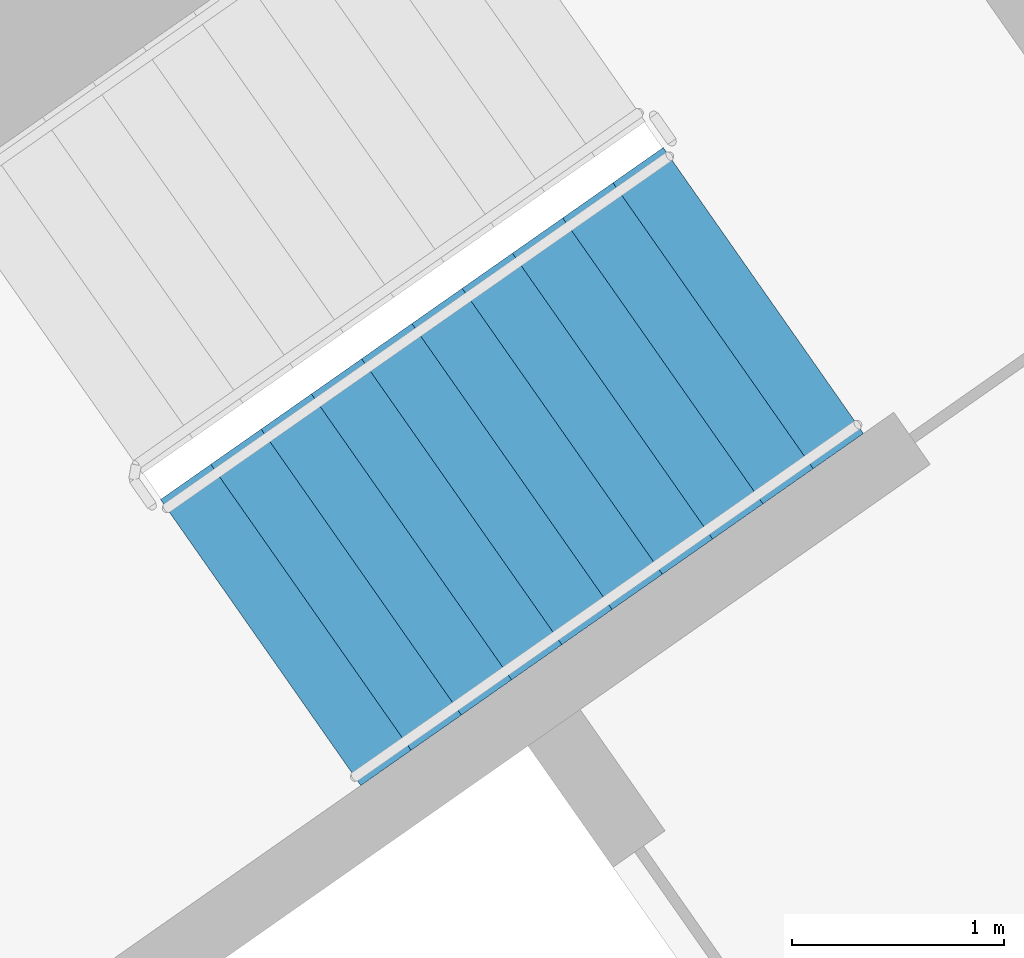
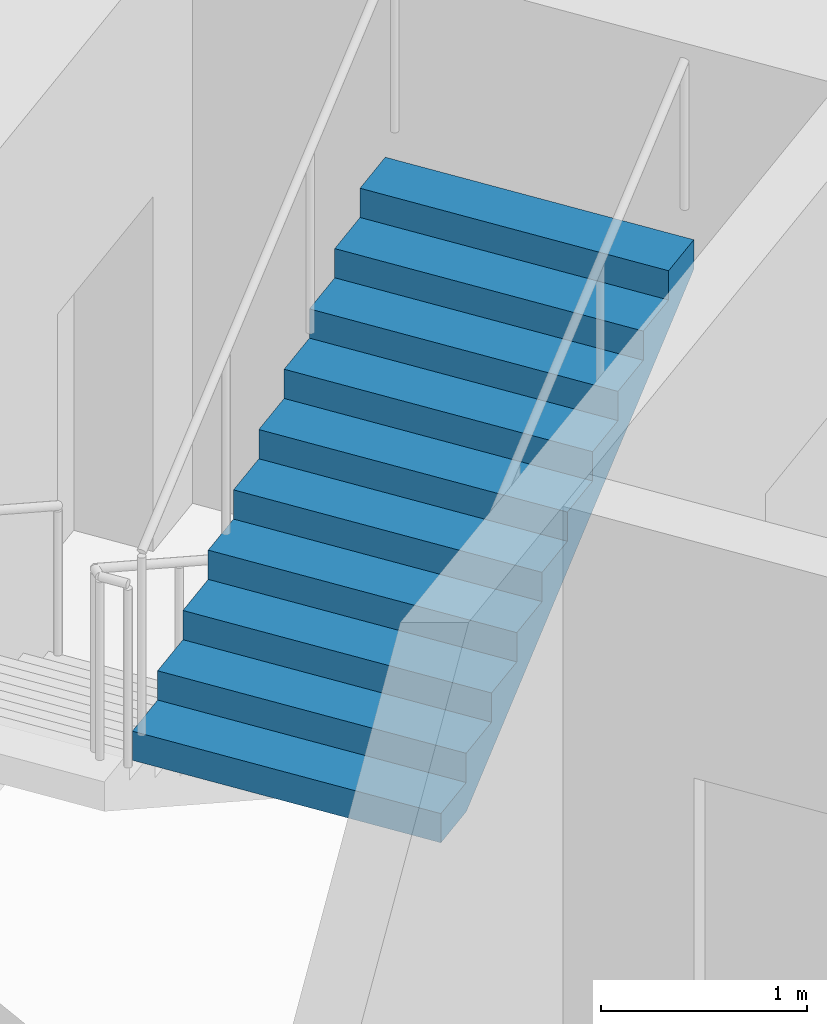
# One storey, part 14 of 30: 1 stair flight, 1 element without a shape of its own.
"""IFC4 building model written with IfcOpenShell, lengths in metres."""

from ifc_helpers import new_model, si_unit, direction, frame, origin, place, context, subcontext, project, spatial, faceted_brep, material, type_object, element, aggregate, save


model = new_model("IFC4")

# Units and contexts
model_context = context("Model", 3, precision=1e-05, world=origin(), true_north=direction((0.0, 1.0)))
body_context = subcontext(model_context, "Body", "Model", "MODEL_VIEW")
ifc_project = project(units=[si_unit("LENGTHUNIT", "METRE"), si_unit("AREAUNIT", "SQUARE_METRE"), si_unit("VOLUMEUNIT", "CUBIC_METRE"), si_unit("PLANEANGLEUNIT", "RADIAN"), si_unit("MASSUNIT", "GRAM", prefix="KILO")], contexts=[model_context])

# Site, building, storey
site_placement = place(None, origin())
site = spatial("IfcSite", under=ifc_project, at=site_placement, CompositionType="ELEMENT")
building_placement = place(site_placement, origin())
building = spatial("IfcBuilding", under=site, at=building_placement, Name="Qamariyya Broadcast Tower", CompositionType="ELEMENT")
storey_placement = place(building_placement, frame((0.0, 0.0, 110.10009765625)))
storey = spatial("IfcBuildingStorey", under=building, at=storey_placement, Name="L24", CompositionType="ELEMENT", Elevation=110.10009765625)

# Stair, stair flight
ifc_material = material(Name="Concrete C50/60", Category="concrete")
stair_type = type_object("IfcStairType", Name="Exit stair 22 risers of 173 mm", PredefinedType="HALF_TURN_STAIR", material=ifc_material)
stair_placement = place(storey_placement, origin())
stair = element("IfcStair", 1, at=stair_placement, inside=storey, type_object=stair_type, Name="L24 Stair E2", PredefinedType="HALF_TURN_STAIR")
stair_flight_type = type_object("IfcStairFlightType", Name="Exit stair flight 11 risers of 173 mm", PredefinedType="STRAIGHT", material=ifc_material)
stair_flight_placement = place(storey_placement, frame((39.215576171875, -50.822998046875, 1.89990234375), z_axis=(0.0, 0.0, 1.0), x_axis=(0.819152044289, 0.573576436351, 0.0)))
stair_flight = element("IfcStairFlight", 2, at=stair_flight_placement, type_object=stair_flight_type, Name="ST-E2 flight 2", NumberOfRisers=11, NumberOfTreads=10, PredefinedType="STRAIGHT", RiserHeight=0.172727273, TreadLength=0.29, context=body_context, shape_type="Brep", body=[
    faceted_brep([(0.0, 0.824951171875, 0.0), (0.0, 0.824951171875, 0.172607421875), (0.2900390625, 0.824951171875, 0.172607421875), (0.2900390625, 0.824951171875, 0.345458984375), (0.580078125, 0.824951171875, 0.345458984375), (0.580078125, 0.824951171875, 0.51806640625), (0.8701171875, 0.824951171875, 0.51806640625), (0.8701171875, 0.824951171875, 0.69091796875), (1.159912109375, 0.824951171875, 0.69091796875), (1.159912109375, 0.824951171875, 0.863525390625), (1.449951171875, 0.824951171875, 0.863525390625), (1.449951171875, 0.824951171875, 1.036376953125), (1.739990234375, 0.824951171875, 1.036376953125), (1.739990234375, 0.824951171875, 1.208984375), (2.030029296875, 0.824951171875, 1.208984375), (2.030029296875, 0.824951171875, 1.3818359375), (2.320068359375, 0.824951171875, 1.3818359375), (2.320068359375, 0.824951171875, 1.554443359375), (2.610107421875, 0.824951171875, 1.554443359375), (2.610107421875, 0.824951171875, 1.727294921875), (2.89990234375, 0.824951171875, 1.727294921875), (2.89990234375, 0.824951171875, 1.552734375), (0.29296875, 0.824951171875, 0.0), (0.29296875, -0.824951171875, 0.0), (2.89990234375, -0.824951171875, 1.552734375), (2.89990234375, -0.824951171875, 1.727294921875), (2.610107421875, -0.824951171875, 1.727294921875), (2.610107421875, -0.824951171875, 1.554443359375), (2.320068359375, -0.824951171875, 1.554443359375), (2.320068359375, -0.824951171875, 1.3818359375), (2.030029296875, -0.824951171875, 1.3818359375), (2.030029296875, -0.824951171875, 1.208984375), (1.739990234375, -0.824951171875, 1.208984375), (1.739990234375, -0.824951171875, 1.036376953125), (1.449951171875, -0.824951171875, 1.036376953125), (1.449951171875, -0.824951171875, 0.863525390625), (1.159912109375, -0.824951171875, 0.863525390625), (1.159912109375, -0.824951171875, 0.69091796875), (0.8701171875, -0.824951171875, 0.69091796875), (0.8701171875, -0.824951171875, 0.51806640625), (0.580078125, -0.824951171875, 0.51806640625), (0.580078125, -0.824951171875, 0.345458984375), (0.2900390625, -0.824951171875, 0.345458984375), (0.2900390625, -0.824951171875, 0.172607421875), (0.0, -0.824951171875, 0.172607421875), (0.0, -0.824951171875, 0.0), (0.0, 0.10009765625, 0.0), (0.0, 0.086669921875, 0.0), (0.0, 0.0732421875, 0.0), (0.0, 0.06005859375, 0.0), (0.0, 0.046630859375, 0.0), (0.0, 0.033447265625, 0.0), (0.0, 0.02001953125, 0.0), (0.0, 0.006591796875, 0.0), (0.0, -0.006591796875, 0.0), (0.0, -0.02001953125, 0.0), (0.0, -0.033447265625, 0.0), (0.0, -0.046630859375, 0.0), (0.0, -0.06005859375, 0.0), (0.0, -0.0732421875, 0.0), (0.0, -0.086669921875, 0.0), (0.0, -0.10009765625, 0.0), (0.0, -0.10009765625, 0.172607421875), (0.0, -0.086669921875, 0.172607421875), (0.0, -0.0732421875, 0.172607421875), (0.0, -0.06005859375, 0.172607421875), (0.0, -0.046630859375, 0.172607421875), (0.0, -0.033447265625, 0.172607421875), (0.0, -0.02001953125, 0.172607421875), (0.0, -0.006591796875, 0.172607421875), (0.0, 0.006591796875, 0.172607421875), (0.0, 0.02001953125, 0.172607421875), (0.0, 0.033447265625, 0.172607421875), (0.0, 0.046630859375, 0.172607421875), (0.0, 0.06005859375, 0.172607421875), (0.0, 0.0732421875, 0.172607421875), (0.0, 0.086669921875, 0.172607421875), (0.0, 0.10009765625, 0.172607421875), (0.2900390625, -0.10009765625, 0.172607421875), (0.2900390625, -0.086669921875, 0.172607421875), (0.2900390625, -0.0732421875, 0.172607421875), (0.2900390625, -0.06005859375, 0.172607421875), (0.2900390625, -0.046630859375, 0.172607421875), (0.2900390625, -0.033447265625, 0.172607421875), (0.2900390625, -0.02001953125, 0.172607421875), (0.2900390625, -0.006591796875, 0.172607421875), (0.2900390625, 0.006591796875, 0.172607421875), (0.2900390625, 0.02001953125, 0.172607421875), (0.2900390625, 0.033447265625, 0.172607421875), (0.2900390625, 0.046630859375, 0.172607421875), (0.2900390625, 0.06005859375, 0.172607421875), (0.2900390625, 0.0732421875, 0.172607421875), (0.2900390625, 0.086669921875, 0.172607421875), (0.2900390625, 0.10009765625, 0.172607421875), (0.2900390625, -0.10009765625, 0.345458984375), (0.2900390625, -0.086669921875, 0.345458984375), (0.2900390625, -0.0732421875, 0.345458984375), (0.2900390625, -0.06005859375, 0.345458984375), (0.2900390625, -0.046630859375, 0.345458984375), (0.2900390625, -0.033447265625, 0.345458984375), (0.2900390625, -0.02001953125, 0.345458984375), (0.2900390625, -0.006591796875, 0.345458984375), (0.2900390625, 0.006591796875, 0.345458984375), (0.2900390625, 0.02001953125, 0.345458984375), (0.2900390625, 0.033447265625, 0.345458984375), (0.2900390625, 0.046630859375, 0.345458984375), (0.2900390625, 0.06005859375, 0.345458984375), (0.2900390625, 0.0732421875, 0.345458984375), (0.2900390625, 0.086669921875, 0.345458984375), (0.2900390625, 0.10009765625, 0.345458984375), (0.580078125, -0.10009765625, 0.345458984375), (0.580078125, -0.086669921875, 0.345458984375), (0.580078125, -0.0732421875, 0.345458984375), (0.580078125, -0.06005859375, 0.345458984375), (0.580078125, -0.046630859375, 0.345458984375), (0.580078125, -0.033447265625, 0.345458984375), (0.580078125, -0.02001953125, 0.345458984375), (0.580078125, -0.006591796875, 0.345458984375), (0.580078125, 0.006591796875, 0.345458984375), (0.580078125, 0.02001953125, 0.345458984375), (0.580078125, 0.033447265625, 0.345458984375), (0.580078125, 0.046630859375, 0.345458984375), (0.580078125, 0.06005859375, 0.345458984375), (0.580078125, 0.0732421875, 0.345458984375), (0.580078125, 0.086669921875, 0.345458984375), (0.580078125, 0.10009765625, 0.345458984375), (0.580078125, -0.10009765625, 0.51806640625), (0.580078125, -0.086669921875, 0.51806640625), (0.580078125, -0.0732421875, 0.51806640625), (0.580078125, -0.06005859375, 0.51806640625), (0.580078125, -0.046630859375, 0.51806640625), (0.580078125, -0.033447265625, 0.51806640625), (0.580078125, -0.02001953125, 0.51806640625), (0.580078125, -0.006591796875, 0.51806640625), (0.580078125, 0.006591796875, 0.51806640625), (0.580078125, 0.02001953125, 0.51806640625), (0.580078125, 0.033447265625, 0.51806640625), (0.580078125, 0.046630859375, 0.51806640625), (0.580078125, 0.06005859375, 0.51806640625), (0.580078125, 0.0732421875, 0.51806640625), (0.580078125, 0.086669921875, 0.51806640625), (0.580078125, 0.10009765625, 0.51806640625), (0.8701171875, -0.10009765625, 0.51806640625), (0.8701171875, -0.086669921875, 0.51806640625), (0.8701171875, -0.0732421875, 0.51806640625), (0.8701171875, -0.06005859375, 0.51806640625), (0.8701171875, -0.046630859375, 0.51806640625), (0.8701171875, -0.033447265625, 0.51806640625), (0.8701171875, -0.02001953125, 0.51806640625), (0.8701171875, -0.006591796875, 0.51806640625), (0.8701171875, 0.006591796875, 0.51806640625), (0.8701171875, 0.02001953125, 0.51806640625), (0.8701171875, 0.033447265625, 0.51806640625), (0.8701171875, 0.046630859375, 0.51806640625), (0.8701171875, 0.06005859375, 0.51806640625), (0.8701171875, 0.0732421875, 0.51806640625), (0.8701171875, 0.086669921875, 0.51806640625), (0.8701171875, 0.10009765625, 0.51806640625), (0.8701171875, -0.10009765625, 0.69091796875), (0.8701171875, -0.086669921875, 0.69091796875), (0.8701171875, -0.0732421875, 0.69091796875), (0.8701171875, -0.06005859375, 0.69091796875), (0.8701171875, -0.046630859375, 0.69091796875), (0.8701171875, -0.033447265625, 0.69091796875), (0.8701171875, -0.02001953125, 0.69091796875), (0.8701171875, -0.006591796875, 0.69091796875), (0.8701171875, 0.006591796875, 0.69091796875), (0.8701171875, 0.02001953125, 0.69091796875), (0.8701171875, 0.033447265625, 0.69091796875), (0.8701171875, 0.046630859375, 0.69091796875), (0.8701171875, 0.06005859375, 0.69091796875), (0.8701171875, 0.0732421875, 0.69091796875), (0.8701171875, 0.086669921875, 0.69091796875), (0.8701171875, 0.10009765625, 0.69091796875), (1.159912109375, -0.10009765625, 0.69091796875), (1.159912109375, -0.086669921875, 0.69091796875), (1.159912109375, -0.0732421875, 0.69091796875), (1.159912109375, -0.06005859375, 0.69091796875), (1.159912109375, -0.046630859375, 0.69091796875), (1.159912109375, -0.033447265625, 0.69091796875), (1.159912109375, -0.02001953125, 0.69091796875), (1.159912109375, -0.006591796875, 0.69091796875), (1.159912109375, 0.006591796875, 0.69091796875), (1.159912109375, 0.02001953125, 0.69091796875), (1.159912109375, 0.033447265625, 0.69091796875), (1.159912109375, 0.046630859375, 0.69091796875), (1.159912109375, 0.06005859375, 0.69091796875), (1.159912109375, 0.0732421875, 0.69091796875), (1.159912109375, 0.086669921875, 0.69091796875), (1.159912109375, 0.10009765625, 0.69091796875), (1.159912109375, -0.10009765625, 0.863525390625), (1.159912109375, -0.086669921875, 0.863525390625), (1.159912109375, -0.0732421875, 0.863525390625), (1.159912109375, -0.06005859375, 0.863525390625), (1.159912109375, -0.046630859375, 0.863525390625), (1.159912109375, -0.033447265625, 0.863525390625), (1.159912109375, -0.02001953125, 0.863525390625), (1.159912109375, -0.006591796875, 0.863525390625), (1.159912109375, 0.006591796875, 0.863525390625), (1.159912109375, 0.02001953125, 0.863525390625), (1.159912109375, 0.033447265625, 0.863525390625), (1.159912109375, 0.046630859375, 0.863525390625), (1.159912109375, 0.06005859375, 0.863525390625), (1.159912109375, 0.0732421875, 0.863525390625), (1.159912109375, 0.086669921875, 0.863525390625), (1.159912109375, 0.10009765625, 0.863525390625), (1.449951171875, -0.10009765625, 0.863525390625), (1.449951171875, -0.086669921875, 0.863525390625), (1.449951171875, -0.0732421875, 0.863525390625), (1.449951171875, -0.06005859375, 0.863525390625), (1.449951171875, -0.046630859375, 0.863525390625), (1.449951171875, -0.033447265625, 0.863525390625), (1.449951171875, -0.02001953125, 0.863525390625), (1.449951171875, -0.006591796875, 0.863525390625), (1.449951171875, 0.006591796875, 0.863525390625), (1.449951171875, 0.02001953125, 0.863525390625), (1.449951171875, 0.033447265625, 0.863525390625), (1.449951171875, 0.046630859375, 0.863525390625), (1.449951171875, 0.06005859375, 0.863525390625), (1.449951171875, 0.0732421875, 0.863525390625), (1.449951171875, 0.086669921875, 0.863525390625), (1.449951171875, 0.10009765625, 0.863525390625), (1.449951171875, -0.10009765625, 1.036376953125), (1.449951171875, -0.086669921875, 1.036376953125), (1.449951171875, -0.0732421875, 1.036376953125), (1.449951171875, -0.06005859375, 1.036376953125), (1.449951171875, -0.046630859375, 1.036376953125), (1.449951171875, -0.033447265625, 1.036376953125), (1.449951171875, -0.02001953125, 1.036376953125), (1.449951171875, -0.006591796875, 1.036376953125), (1.449951171875, 0.006591796875, 1.036376953125), (1.449951171875, 0.02001953125, 1.036376953125), (1.449951171875, 0.033447265625, 1.036376953125), (1.449951171875, 0.046630859375, 1.036376953125), (1.449951171875, 0.06005859375, 1.036376953125), (1.449951171875, 0.0732421875, 1.036376953125), (1.449951171875, 0.086669921875, 1.036376953125), (1.449951171875, 0.10009765625, 1.036376953125), (1.739990234375, -0.10009765625, 1.036376953125), (1.739990234375, -0.086669921875, 1.036376953125), (1.739990234375, -0.0732421875, 1.036376953125), (1.739990234375, -0.06005859375, 1.036376953125), (1.739990234375, -0.046630859375, 1.036376953125), (1.739990234375, -0.033447265625, 1.036376953125), (1.739990234375, -0.02001953125, 1.036376953125), (1.739990234375, -0.006591796875, 1.036376953125), (1.739990234375, 0.006591796875, 1.036376953125), (1.739990234375, 0.02001953125, 1.036376953125), (1.739990234375, 0.033447265625, 1.036376953125), (1.739990234375, 0.046630859375, 1.036376953125), (1.739990234375, 0.06005859375, 1.036376953125), (1.739990234375, 0.0732421875, 1.036376953125), (1.739990234375, 0.086669921875, 1.036376953125), (1.739990234375, 0.10009765625, 1.036376953125), (1.739990234375, -0.10009765625, 1.208984375), (1.739990234375, -0.086669921875, 1.208984375), (1.739990234375, -0.0732421875, 1.208984375), (1.739990234375, -0.06005859375, 1.208984375), (1.739990234375, -0.046630859375, 1.208984375), (1.739990234375, -0.033447265625, 1.208984375), (1.739990234375, -0.02001953125, 1.208984375), (1.739990234375, -0.006591796875, 1.208984375), (1.739990234375, 0.006591796875, 1.208984375), (1.739990234375, 0.02001953125, 1.208984375), (1.739990234375, 0.033447265625, 1.208984375), (1.739990234375, 0.046630859375, 1.208984375), (1.739990234375, 0.06005859375, 1.208984375), (1.739990234375, 0.0732421875, 1.208984375), (1.739990234375, 0.086669921875, 1.208984375), (1.739990234375, 0.10009765625, 1.208984375), (2.030029296875, -0.10009765625, 1.208984375), (2.030029296875, -0.086669921875, 1.208984375), (2.030029296875, -0.0732421875, 1.208984375), (2.030029296875, -0.06005859375, 1.208984375), (2.030029296875, -0.046630859375, 1.208984375), (2.030029296875, -0.033447265625, 1.208984375), (2.030029296875, -0.02001953125, 1.208984375), (2.030029296875, -0.006591796875, 1.208984375), (2.030029296875, 0.006591796875, 1.208984375), (2.030029296875, 0.02001953125, 1.208984375), (2.030029296875, 0.033447265625, 1.208984375), (2.030029296875, 0.046630859375, 1.208984375), (2.030029296875, 0.06005859375, 1.208984375), (2.030029296875, 0.0732421875, 1.208984375), (2.030029296875, 0.086669921875, 1.208984375), (2.030029296875, 0.10009765625, 1.208984375), (2.030029296875, -0.10009765625, 1.3818359375), (2.030029296875, -0.086669921875, 1.3818359375), (2.030029296875, -0.0732421875, 1.3818359375), (2.030029296875, -0.06005859375, 1.3818359375), (2.030029296875, -0.046630859375, 1.3818359375), (2.030029296875, -0.033447265625, 1.3818359375), (2.030029296875, -0.02001953125, 1.3818359375), (2.030029296875, -0.006591796875, 1.3818359375), (2.030029296875, 0.006591796875, 1.3818359375), (2.030029296875, 0.02001953125, 1.3818359375), (2.030029296875, 0.033447265625, 1.3818359375), (2.030029296875, 0.046630859375, 1.3818359375), (2.030029296875, 0.06005859375, 1.3818359375), (2.030029296875, 0.0732421875, 1.3818359375), (2.030029296875, 0.086669921875, 1.3818359375), (2.030029296875, 0.10009765625, 1.3818359375), (2.320068359375, -0.10009765625, 1.3818359375), (2.320068359375, -0.086669921875, 1.3818359375), (2.320068359375, -0.0732421875, 1.3818359375), (2.320068359375, -0.06005859375, 1.3818359375), (2.320068359375, -0.046630859375, 1.3818359375), (2.320068359375, -0.033447265625, 1.3818359375), (2.320068359375, -0.02001953125, 1.3818359375), (2.320068359375, -0.006591796875, 1.3818359375), (2.320068359375, 0.006591796875, 1.3818359375), (2.320068359375, 0.02001953125, 1.3818359375), (2.320068359375, 0.033447265625, 1.3818359375), (2.320068359375, 0.046630859375, 1.3818359375), (2.320068359375, 0.06005859375, 1.3818359375), (2.320068359375, 0.0732421875, 1.3818359375), (2.320068359375, 0.086669921875, 1.3818359375), (2.320068359375, 0.10009765625, 1.3818359375), (2.320068359375, -0.10009765625, 1.554443359375), (2.320068359375, -0.086669921875, 1.554443359375), (2.320068359375, -0.0732421875, 1.554443359375), (2.320068359375, -0.06005859375, 1.554443359375), (2.320068359375, -0.046630859375, 1.554443359375), (2.320068359375, -0.033447265625, 1.554443359375), (2.320068359375, -0.02001953125, 1.554443359375), (2.320068359375, -0.006591796875, 1.554443359375), (2.320068359375, 0.006591796875, 1.554443359375), (2.320068359375, 0.02001953125, 1.554443359375), (2.320068359375, 0.033447265625, 1.554443359375), (2.320068359375, 0.046630859375, 1.554443359375), (2.320068359375, 0.06005859375, 1.554443359375), (2.320068359375, 0.0732421875, 1.554443359375), (2.320068359375, 0.086669921875, 1.554443359375), (2.320068359375, 0.10009765625, 1.554443359375), (2.610107421875, -0.10009765625, 1.554443359375), (2.610107421875, -0.086669921875, 1.554443359375), (2.610107421875, -0.0732421875, 1.554443359375), (2.610107421875, -0.06005859375, 1.554443359375), (2.610107421875, -0.046630859375, 1.554443359375), (2.610107421875, -0.033447265625, 1.554443359375), (2.610107421875, -0.02001953125, 1.554443359375), (2.610107421875, -0.006591796875, 1.554443359375), (2.610107421875, 0.006591796875, 1.554443359375), (2.610107421875, 0.02001953125, 1.554443359375), (2.610107421875, 0.033447265625, 1.554443359375), (2.610107421875, 0.046630859375, 1.554443359375), (2.610107421875, 0.06005859375, 1.554443359375), (2.610107421875, 0.0732421875, 1.554443359375), (2.610107421875, 0.086669921875, 1.554443359375), (2.610107421875, 0.10009765625, 1.554443359375), (2.610107421875, -0.10009765625, 1.727294921875), (2.610107421875, -0.086669921875, 1.727294921875), (2.610107421875, -0.0732421875, 1.727294921875), (2.610107421875, -0.06005859375, 1.727294921875), (2.610107421875, -0.046630859375, 1.727294921875), (2.610107421875, -0.033447265625, 1.727294921875), (2.610107421875, -0.02001953125, 1.727294921875), (2.610107421875, -0.006591796875, 1.727294921875), (2.610107421875, 0.006591796875, 1.727294921875), (2.610107421875, 0.02001953125, 1.727294921875), (2.610107421875, 0.033447265625, 1.727294921875), (2.610107421875, 0.046630859375, 1.727294921875), (2.610107421875, 0.06005859375, 1.727294921875), (2.610107421875, 0.0732421875, 1.727294921875), (2.610107421875, 0.086669921875, 1.727294921875), (2.610107421875, 0.10009765625, 1.727294921875), (2.89990234375, -0.10009765625, 1.727294921875), (2.89990234375, -0.086669921875, 1.727294921875), (2.89990234375, -0.0732421875, 1.727294921875), (2.89990234375, -0.06005859375, 1.727294921875), (2.89990234375, -0.046630859375, 1.727294921875), (2.89990234375, -0.033447265625, 1.727294921875), (2.89990234375, -0.02001953125, 1.727294921875), (2.89990234375, -0.006591796875, 1.727294921875), (2.89990234375, 0.006591796875, 1.727294921875), (2.89990234375, 0.02001953125, 1.727294921875), (2.89990234375, 0.033447265625, 1.727294921875), (2.89990234375, 0.046630859375, 1.727294921875), (2.89990234375, 0.06005859375, 1.727294921875), (2.89990234375, 0.0732421875, 1.727294921875), (2.89990234375, 0.086669921875, 1.727294921875), (2.89990234375, 0.10009765625, 1.727294921875), (2.89990234375, -0.10009765625, 1.552734375), (2.89990234375, -0.086669921875, 1.552734375), (2.89990234375, -0.0732421875, 1.552734375), (2.89990234375, -0.06005859375, 1.552734375), (2.89990234375, -0.046630859375, 1.552734375), (2.89990234375, -0.033447265625, 1.552734375), (2.89990234375, -0.02001953125, 1.552734375), (2.89990234375, -0.006591796875, 1.552734375), (2.89990234375, 0.006591796875, 1.552734375), (2.89990234375, 0.02001953125, 1.552734375), (2.89990234375, 0.033447265625, 1.552734375), (2.89990234375, 0.046630859375, 1.552734375), (2.89990234375, 0.06005859375, 1.552734375), (2.89990234375, 0.0732421875, 1.552734375), (2.89990234375, 0.086669921875, 1.552734375), (2.89990234375, 0.10009765625, 1.552734375), (0.29296875, -0.10009765625, 0.0), (0.29296875, -0.086669921875, 0.0), (0.29296875, -0.0732421875, 0.0), (0.29296875, -0.06005859375, 0.0), (0.29296875, -0.046630859375, 0.0), (0.29296875, -0.033447265625, 0.0), (0.29296875, -0.02001953125, 0.0), (0.29296875, -0.006591796875, 0.0), (0.29296875, 0.006591796875, 0.0), (0.29296875, 0.02001953125, 0.0), (0.29296875, 0.033447265625, 0.0), (0.29296875, 0.046630859375, 0.0), (0.29296875, 0.06005859375, 0.0), (0.29296875, 0.0732421875, 0.0), (0.29296875, 0.086669921875, 0.0), (0.29296875, 0.10009765625, 0.0)], [[[0, 1, 2, 3, 4, 5, 6, 7, 8, 9, 10, 11, 12, 13, 14, 15, 16, 17, 18, 19, 20, 21, 22]], [[23, 24, 25, 26, 27, 28, 29, 30, 31, 32, 33, 34, 35, 36, 37, 38, 39, 40, 41, 42, 43, 44, 45]], [[0, 46, 47, 48, 49, 50, 51, 52, 53, 54, 55, 56, 57, 58, 59, 60, 61, 45, 44, 62, 63, 64, 65, 66, 67, 68, 69, 70, 71, 72, 73, 74, 75, 76, 77, 1]], [[1, 77, 76, 75, 74, 73, 72, 71, 70, 69, 68, 67, 66, 65, 64, 63, 62, 44, 43, 78, 79, 80, 81, 82, 83, 84, 85, 86, 87, 88, 89, 90, 91, 92, 93, 2]], [[2, 93, 92, 91, 90, 89, 88, 87, 86, 85, 84, 83, 82, 81, 80, 79, 78, 43, 42, 94, 95, 96, 97, 98, 99, 100, 101, 102, 103, 104, 105, 106, 107, 108, 109, 3]], [[3, 109, 108, 107, 106, 105, 104, 103, 102, 101, 100, 99, 98, 97, 96, 95, 94, 42, 41, 110, 111, 112, 113, 114, 115, 116, 117, 118, 119, 120, 121, 122, 123, 124, 125, 4]], [[4, 125, 124, 123, 122, 121, 120, 119, 118, 117, 116, 115, 114, 113, 112, 111, 110, 41, 40, 126, 127, 128, 129, 130, 131, 132, 133, 134, 135, 136, 137, 138, 139, 140, 141, 5]], [[5, 141, 140, 139, 138, 137, 136, 135, 134, 133, 132, 131, 130, 129, 128, 127, 126, 40, 39, 142, 143, 144, 145, 146, 147, 148, 149, 150, 151, 152, 153, 154, 155, 156, 157, 6]], [[6, 157, 156, 155, 154, 153, 152, 151, 150, 149, 148, 147, 146, 145, 144, 143, 142, 39, 38, 158, 159, 160, 161, 162, 163, 164, 165, 166, 167, 168, 169, 170, 171, 172, 173, 7]], [[7, 173, 172, 171, 170, 169, 168, 167, 166, 165, 164, 163, 162, 161, 160, 159, 158, 38, 37, 174, 175, 176, 177, 178, 179, 180, 181, 182, 183, 184, 185, 186, 187, 188, 189, 8]], [[8, 189, 188, 187, 186, 185, 184, 183, 182, 181, 180, 179, 178, 177, 176, 175, 174, 37, 36, 190, 191, 192, 193, 194, 195, 196, 197, 198, 199, 200, 201, 202, 203, 204, 205, 9]], [[9, 205, 204, 203, 202, 201, 200, 199, 198, 197, 196, 195, 194, 193, 192, 191, 190, 36, 35, 206, 207, 208, 209, 210, 211, 212, 213, 214, 215, 216, 217, 218, 219, 220, 221, 10]], [[10, 221, 220, 219, 218, 217, 216, 215, 214, 213, 212, 211, 210, 209, 208, 207, 206, 35, 34, 222, 223, 224, 225, 226, 227, 228, 229, 230, 231, 232, 233, 234, 235, 236, 237, 11]], [[11, 237, 236, 235, 234, 233, 232, 231, 230, 229, 228, 227, 226, 225, 224, 223, 222, 34, 33, 238, 239, 240, 241, 242, 243, 244, 245, 246, 247, 248, 249, 250, 251, 252, 253, 12]], [[12, 253, 252, 251, 250, 249, 248, 247, 246, 245, 244, 243, 242, 241, 240, 239, 238, 33, 32, 254, 255, 256, 257, 258, 259, 260, 261, 262, 263, 264, 265, 266, 267, 268, 269, 13]], [[13, 269, 268, 267, 266, 265, 264, 263, 262, 261, 260, 259, 258, 257, 256, 255, 254, 32, 31, 270, 271, 272, 273, 274, 275, 276, 277, 278, 279, 280, 281, 282, 283, 284, 285, 14]], [[14, 285, 284, 283, 282, 281, 280, 279, 278, 277, 276, 275, 274, 273, 272, 271, 270, 31, 30, 286, 287, 288, 289, 290, 291, 292, 293, 294, 295, 296, 297, 298, 299, 300, 301, 15]], [[15, 301, 300, 299, 298, 297, 296, 295, 294, 293, 292, 291, 290, 289, 288, 287, 286, 30, 29, 302, 303, 304, 305, 306, 307, 308, 309, 310, 311, 312, 313, 314, 315, 316, 317, 16]], [[16, 317, 316, 315, 314, 313, 312, 311, 310, 309, 308, 307, 306, 305, 304, 303, 302, 29, 28, 318, 319, 320, 321, 322, 323, 324, 325, 326, 327, 328, 329, 330, 331, 332, 333, 17]], [[17, 333, 332, 331, 330, 329, 328, 327, 326, 325, 324, 323, 322, 321, 320, 319, 318, 28, 27, 334, 335, 336, 337, 338, 339, 340, 341, 342, 343, 344, 345, 346, 347, 348, 349, 18]], [[18, 349, 348, 347, 346, 345, 344, 343, 342, 341, 340, 339, 338, 337, 336, 335, 334, 27, 26, 350, 351, 352, 353, 354, 355, 356, 357, 358, 359, 360, 361, 362, 363, 364, 365, 19]], [[19, 365, 364, 363, 362, 361, 360, 359, 358, 357, 356, 355, 354, 353, 352, 351, 350, 26, 25, 366, 367, 368, 369, 370, 371, 372, 373, 374, 375, 376, 377, 378, 379, 380, 381, 20]], [[20, 381, 380, 379, 378, 377, 376, 375, 374, 373, 372, 371, 370, 369, 368, 367, 366, 25, 24, 382, 383, 384, 385, 386, 387, 388, 389, 390, 391, 392, 393, 394, 395, 396, 397, 21]], [[21, 397, 396, 395, 394, 393, 392, 391, 390, 389, 388, 387, 386, 385, 384, 383, 382, 24, 23, 398, 399, 400, 401, 402, 403, 404, 405, 406, 407, 408, 409, 410, 411, 412, 413, 22]], [[22, 413, 412, 411, 410, 409, 408, 407, 406, 405, 404, 403, 402, 401, 400, 399, 398, 23, 45, 61, 60, 59, 58, 57, 56, 55, 54, 53, 52, 51, 50, 49, 48, 47, 46, 0]]]),
])
aggregate(stair, [stair_flight])

save(model, "model.ifc")
